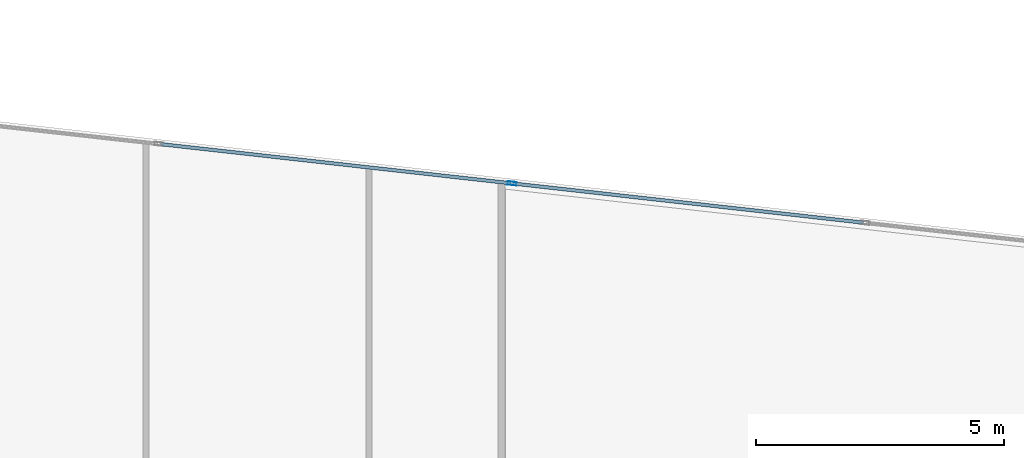
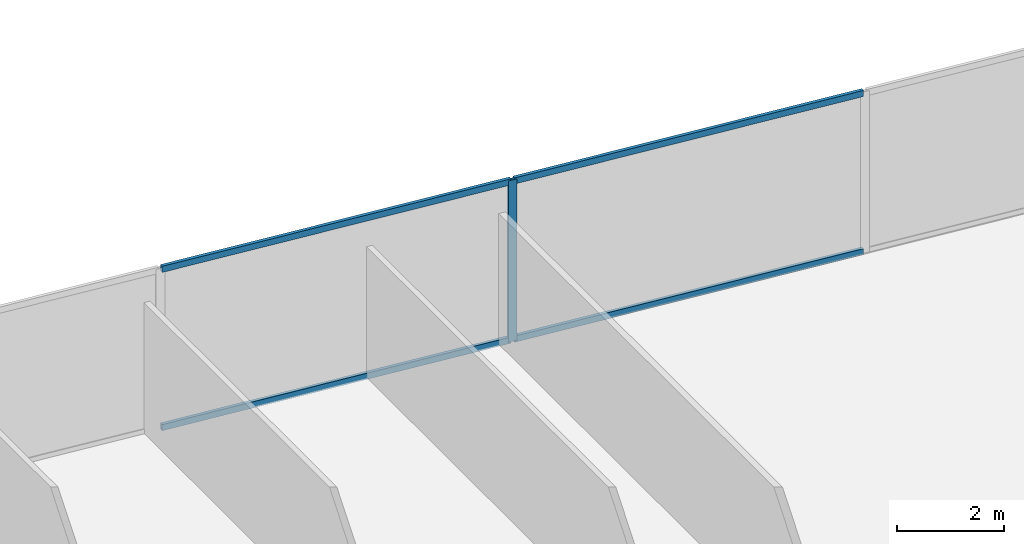
# One storey, part 22 of 31: 5 members, 1 element without a shape of its own.
"""IFC4 building model written with IfcOpenShell, lengths in metres."""

from ifc_helpers import new_model, si_unit, direction, frame, origin, origin_2d, place, context, subcontext, project, spatial, hollow_rectangle, extrude, source, transform, mapped, material, material_profile, profile_set, type_object, type_shapes, element, aggregate, save


model = new_model("IFC4")

# Units and contexts
model_context = context("Model", 3, precision=1e-05, world=origin(), true_north=direction((0.0, 1.0)))
body_context = subcontext(model_context, "Body", "Model", "MODEL_VIEW")
ifc_project = project(units=[si_unit("LENGTHUNIT", "METRE"), si_unit("AREAUNIT", "SQUARE_METRE"), si_unit("VOLUMEUNIT", "CUBIC_METRE"), si_unit("PLANEANGLEUNIT", "RADIAN"), si_unit("MASSUNIT", "GRAM", prefix="KILO")], contexts=[model_context])

# Site, building, storey
site_placement = place(None, origin())
site = spatial("IfcSite", under=ifc_project, at=site_placement, CompositionType="ELEMENT")
building_placement = place(site_placement, origin())
building = spatial("IfcBuilding", under=site, at=building_placement, Name="Krantzveldt Concourse Tower", CompositionType="ELEMENT")
storey_placement = place(building_placement, frame((0.0, 0.0, 56.60009765625)))
storey = spatial("IfcBuildingStorey", under=building, at=storey_placement, Name="L13", CompositionType="ELEMENT", Elevation=56.60009765625)

# Curtain wall, members
ifc_material = material(Name="Anodised aluminium 6063-T6", Category="aluminium")
curtain_wall_type = type_object("IfcCurtainWallType", Name="CW2", PredefinedType="USERDEFINED", material=ifc_material)
curtain_wall_placement = place(storey_placement, origin())
curtain_wall = element("IfcCurtainWall", 1, at=curtain_wall_placement, inside=storey, type_object=curtain_wall_type, Name="CW-L13-F10", ObjectType="UNITISED CURTAIN WALL", PredefinedType="USERDEFINED")
ifc_material_profile_1 = material_profile(ifc_material, hollow_rectangle(XDim=0.070068359375, YDim=0.179931640625, WallThickness=0.0048828125, at=origin_2d()), Name="Anodised aluminium 6063-T6", Category="aluminium")
ifc_profile_set_1 = profile_set([ifc_material_profile_1], Name="Anodised aluminium 6063-T6 - ALU-MULL 180x70x5")
member_type_1 = type_object("IfcMemberType", Name="CW-MUL-180", PredefinedType="MULLION", material=ifc_profile_set_1)
shared_shape_1 = source(origin(), body_context, "Body", "SweptSolid", [
    extrude(hollow_rectangle(XDim=0.070068359375, YDim=0.179931640625, WallThickness=0.0048828125, at=origin_2d()), origin(), (0.0, 0.0, 1.0), 3.669921875),
])
type_shapes(member_type_1, [shared_shape_1])
member_1_placement = place(storey_placement, frame((45.88818359375, 50.66015625, 0.0), z_axis=(0.0, 0.0, 1.0), x_axis=(-0.111035342863, -0.993816458223, 0.0)))
member_1 = element("IfcMember", 2, at=member_1_placement, type_object=member_type_1, Name="CW-Z12 mullion 3", PredefinedType="MULLION", context=body_context, shape_type="MappedRepresentation", body=[
    mapped(shared_shape_1, transform((0.0, 0.0, 0.0), x_axis=(1.0, 0.0, 0.0), y_axis=(0.0, 1.0, 0.0), z_axis=(0.0, 0.0, 1.0), scale=1.0)),
])
ifc_material_profile_2 = material_profile(ifc_material, hollow_rectangle(XDim=0.070068359375, YDim=0.139892578125, WallThickness=0.0048828125, at=origin_2d()), Name="Anodised aluminium 6063-T6", Category="aluminium")
ifc_profile_set_2 = profile_set([ifc_material_profile_2], Name="Anodised aluminium 6063-T6 - ALU-TRAN 140x70x5")
member_type_2 = type_object("IfcMemberType", Name="CW-TRN-150", PredefinedType="USERDEFINED", material=ifc_profile_set_2)
shared_shape_2 = source(origin(), body_context, "Body", "SweptSolid", [
    extrude(hollow_rectangle(XDim=0.070068359375, YDim=0.139892578125, WallThickness=0.0048828125, at=origin_2d()), origin(), (0.0, 0.0, 1.0), 7.0966796875),
])
type_shapes(member_type_2, [shared_shape_2])
member_2_placement = place(storey_placement, frame((52.975830078125, 49.868408203125, 0.034912109375), z_axis=(-0.993818533296, 0.111016768449, 0.0), x_axis=(-0.111016768449, -0.993818533296, 0.0)))
member_2 = element("IfcMember", 3, at=member_2_placement, type_object=member_type_2, Name="CW-Z12 transom 2.1", ObjectType="TRANSOM", PredefinedType="USERDEFINED", context=body_context, shape_type="MappedRepresentation", body=[
    mapped(shared_shape_2, transform((0.0, 0.0, 0.0), x_axis=(1.0, 0.0, 0.0), y_axis=(0.0, 1.0, 0.0), z_axis=(0.0, 0.0, 1.0), scale=1.0)),
])
member_3_placement = place(storey_placement, frame((52.975830078125, 49.868408203125, 3.635009765625), z_axis=(-0.993818533296, 0.111016768449, 0.0), x_axis=(-0.111016768449, -0.993818533296, 0.0)))
member_3 = element("IfcMember", 4, at=member_3_placement, type_object=member_type_2, Name="CW-Z12 transom 2.2", ObjectType="TRANSOM", PredefinedType="USERDEFINED", context=body_context, shape_type="MappedRepresentation", body=[
    mapped(shared_shape_2, transform((0.0, 0.0, 0.0), x_axis=(1.0, 0.0, 0.0), y_axis=(0.0, 1.0, 0.0), z_axis=(0.0, 0.0, 1.0), scale=1.0)),
])
member_4_placement = place(storey_placement, frame((45.853515625, 50.6640625, 0.034912109375), z_axis=(-0.993814737088, 0.111050746722, 0.0), x_axis=(-0.111050746722, -0.993814737088, 0.0)))
member_4 = element("IfcMember", 5, at=member_4_placement, type_object=member_type_2, Name="CW-Z12 transom 3.1", ObjectType="TRANSOM", PredefinedType="USERDEFINED", context=body_context, shape_type="MappedRepresentation", body=[
    mapped(shared_shape_2, transform((0.0, 0.0, 0.0), x_axis=(1.0, 0.0, 0.0), y_axis=(0.0, 1.0, 0.0), z_axis=(0.0, 0.0, 1.0), scale=1.0)),
])
member_5_placement = place(storey_placement, frame((45.853515625, 50.6640625, 3.635009765625), z_axis=(-0.993814737088, 0.111050746722, 0.0), x_axis=(-0.111050746722, -0.993814737088, 0.0)))
member_5 = element("IfcMember", 6, at=member_5_placement, type_object=member_type_2, Name="CW-Z12 transom 3.2", ObjectType="TRANSOM", PredefinedType="USERDEFINED", context=body_context, shape_type="MappedRepresentation", body=[
    mapped(shared_shape_2, transform((0.0, 0.0, 0.0), x_axis=(1.0, 0.0, 0.0), y_axis=(0.0, 1.0, 0.0), z_axis=(0.0, 0.0, 1.0), scale=1.0)),
])
aggregate(curtain_wall, [member_1, member_2, member_3, member_4, member_5])

save(model, "model.ifc")
